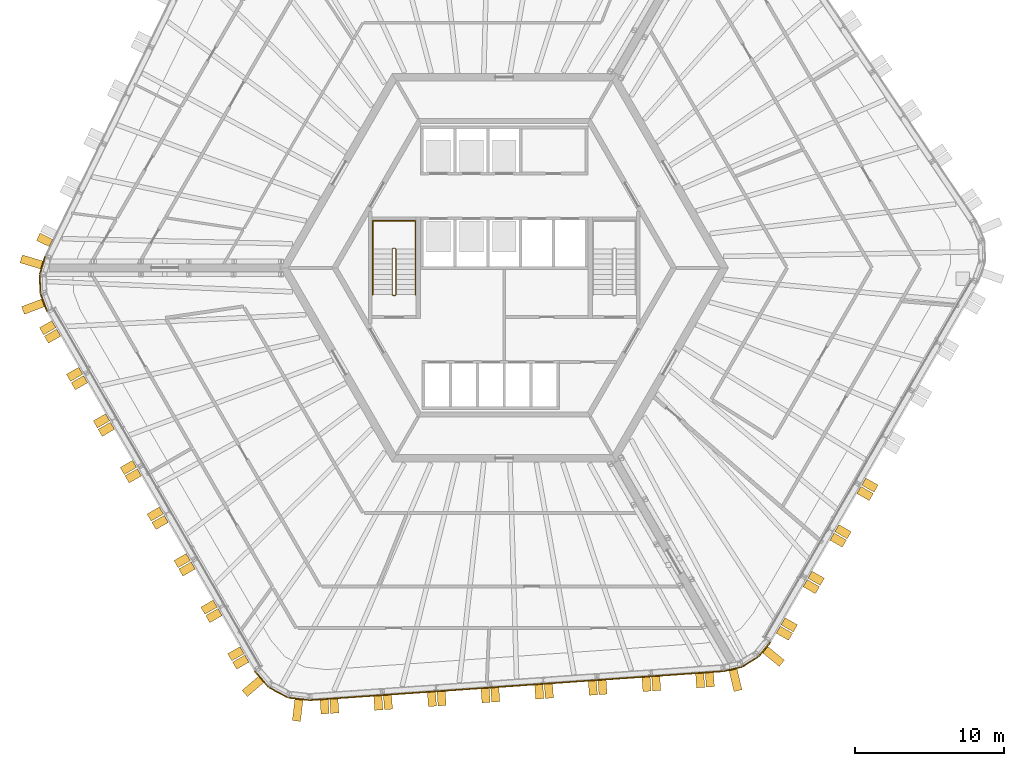
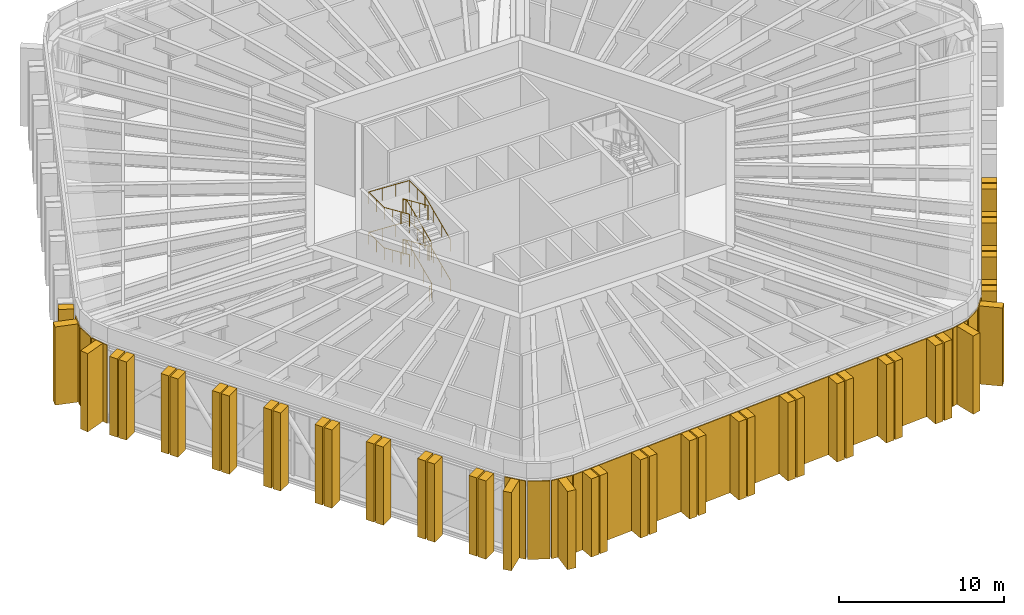
# One storey, part 22 of 24: 57 shading devices, 3 railings.
"""IFC4 building model written with IfcOpenShell, lengths in metres."""

from ifc_helpers import new_model, si_unit, direction, frame, origin, origin_2d, place, context, subcontext, project, spatial, polyline, circle, outline, extrude, material, layer, layer_set, type_object, element, save


model = new_model("IFC4")

# Units and contexts
model_context = context("Model", 3, precision=1e-05, world=origin(), true_north=direction((0.0, 1.0)))
body_context = subcontext(model_context, "Body", "Model", "MODEL_VIEW")
ifc_project = project(units=[si_unit("LENGTHUNIT", "METRE"), si_unit("AREAUNIT", "SQUARE_METRE"), si_unit("VOLUMEUNIT", "CUBIC_METRE"), si_unit("PLANEANGLEUNIT", "RADIAN"), si_unit("MASSUNIT", "GRAM", prefix="KILO")], contexts=[model_context])

# Site, building, storey
site_placement = place(None, origin())
site = spatial("IfcSite", under=ifc_project, at=site_placement, CompositionType="ELEMENT")
building_placement = place(site_placement, origin())
building = spatial("IfcBuilding", under=site, at=building_placement, Name="Tarnside Tower", CompositionType="ELEMENT")
storey_placement = place(building_placement, frame((0.0, 0.0, 250.199951171875)))
storey = spatial("IfcBuildingStorey", under=building, at=storey_placement, Name="L60", CompositionType="ELEMENT", Elevation=250.199951171875)

# Shading devices
ifc_material_1 = material(Name="Aluminium alloy 6063 louvre", Category="aluminium")
shading_device_type_1 = type_object("IfcShadingDeviceType", Name="Louvre panel 72", PredefinedType="USERDEFINED", material=ifc_material_1)
for number, where, z_axis, x_axis, name in (
    (1, (-30.88134765625, 0.163818359375, -0.300048828125), (0.286854310454, 0.957974219159, 0.0), (-0.957974219159, 0.286854310454, 0.0), "Louvre L60 006"),
    (2, (-31.0419921875, -1.083984375, -0.300048828125), (-0.034926917162, 0.999389869099, 0.0), (-0.999389869099, -0.034926917162, 0.0), "Louvre L60 007"),
    (3, (-30.794677734375, -2.317626953125, -0.300048828125), (-0.352936948646, 0.935647107771, 0.0), (-0.935647107771, -0.352936948646, 0.0), "Louvre L60 008"),
):
    element("IfcShadingDevice", number, at=place(storey_placement, frame(where, z_axis=z_axis, x_axis=x_axis)), inside=storey, type_object=shading_device_type_1, Name=name, ObjectType="LOUVRE", PredefinedType="USERDEFINED", context=body_context, shape_type="SweptSolid", body=[
        extrude(outline(polyline([(0.0, 0.0), (0.071533203125, 0.0), (0.071533203125, 5.800048828125), (0.0, 5.800048828125), (0.0, 0.0)])), frame((0.0, 0.0, -0.60400390625)), (0.0, 0.0, 1.0), 1.208251953125),
    ])
for number, where, z_axis, x_axis, name in (
    (4, (-16.217041015625, -27.505859375, -0.300048828125), (-0.651674836993, 0.75849845539, 0.0), (-0.75849845539, -0.651674836993, 0.0), "Louvre L60 010"),
    (5, (-15.100341796875, -28.3994140625, -0.300048828125), (-0.882934435721, 0.469496306927, 0.0), (-0.469496306927, -0.882934435721, 0.0), "Louvre L60 011"),
    (6, (-13.73486328125, -28.82568359375, -0.300048828125), (-0.993237937099, 0.1160965129, 0.0), (-0.1160965129, -0.993237937099, 0.0), "Louvre L60 012"),
):
    element("IfcShadingDevice", number, at=place(storey_placement, frame(where, z_axis=z_axis, x_axis=x_axis)), inside=storey, type_object=shading_device_type_1, Name=name, ObjectType="LOUVRE", PredefinedType="USERDEFINED", context=body_context, shape_type="SweptSolid", body=[
        extrude(outline(polyline([(0.0, 0.0), (0.071533203125, 0.0), (0.071533203125, 5.800048828125), (0.0, 5.800048828125), (0.0, 0.0)])), frame((0.0, 0.0, -0.689453125)), (0.0, 0.0, 1.0), 1.37890625),
    ])
shading_device_placement = place(storey_placement, frame((0.8330078125, -27.9384765625, -0.300048828125), z_axis=(-0.997564018693, -0.069756925171, 0.0), x_axis=(0.069756925171, -0.997564018693, 0.0)))
element("IfcShadingDevice", 7, at=shading_device_placement, inside=storey, type_object=shading_device_type_1, Name="Louvre L60 013", ObjectType="LOUVRE", PredefinedType="USERDEFINED", context=body_context, shape_type="SweptSolid", body=[
    extrude(outline(polyline([(0.0, 0.0), (0.071533203125, 0.0), (0.071533203125, 5.800048828125), (0.0, 5.800048828125), (0.0, 0.0)])), frame((0.0, 0.0, -13.87890625)), (0.0, 0.0, 1.0), 27.7578125),
])
for number, where, z_axis, x_axis, name in (
    (8, (15.298583984375, -26.825927734375, -0.300048828125), (-0.973053416579, -0.230579809359, 0.0), (0.230579809359, -0.973053416579, 0.0), "Louvre L60 014"),
    (9, (16.459716796875, -26.341064453125, -0.300048828125), (-0.848026201671, -0.529954301123, 0.0), (0.529954301123, -0.848026201671, 0.0), "Louvre L60 015"),
    (10, (17.404541015625, -25.51025390625, -0.300048828125), (-0.633837053424, -0.773466605424, 0.0), (0.773466605424, -0.633837053424, 0.0), "Louvre L60 016"),
):
    element("IfcShadingDevice", number, at=place(storey_placement, frame(where, z_axis=z_axis, x_axis=x_axis)), inside=storey, type_object=shading_device_type_1, Name=name, ObjectType="LOUVRE", PredefinedType="USERDEFINED", context=body_context, shape_type="SweptSolid", body=[
        extrude(outline(polyline([(0.0, 0.0), (0.071533203125, 0.0), (0.071533203125, 5.800048828125), (0.0, 5.800048828125), (0.0, 0.0)])), frame((0.0, 0.0, -0.60400390625)), (0.0, 0.0, 1.0), 1.208251953125),
    ])
ifc_material_2 = material(Name="Concrete C50/60 white precast", Category="concrete")
ifc_layer_1 = layer(ifc_material_2, 0.550048828125)
ifc_layer_set_1 = layer_set([ifc_layer_1], Name="Precast fin 550 x 1450")
shading_device_type_2 = type_object("IfcShadingDeviceType", Name="Precast fin 550 x 1450", PredefinedType="USERDEFINED", material=ifc_layer_set_1)
for number, where, z_axis, x_axis, name in (
    (11, (-30.949951171875, 0.184326171875, -0.300048828125), (0.286803232717, 0.957989512314, 0.0), (-0.957989512314, 0.286803232717, 0.0), "Precast fin"),
    (12, (-30.861572265625, -2.343017578125, -0.300048828125), (-0.352930564719, 0.935649515837, 0.0), (-0.935649515837, -0.352930564719, 0.0), "Precast fin"),
    (13, (-16.271484375, -27.55224609375, -0.300048828125), (-0.651657228826, 0.758513583345, 0.0), (-0.758513583345, -0.651657228826, 0.0), "Precast fin"),
    (14, (-13.7431640625, -28.896728515625, -0.300048828125), (-0.993238357741, 0.116092914131, 0.0), (-0.116092914131, -0.993238357741, 0.0), "Precast fin"),
    (15, (15.315185546875, -26.8955078125, -0.300048828125), (-0.973044870581, -0.230615870737, 0.0), (0.230615870737, -0.973044870581, 0.0), "Precast fin"),
    (16, (17.4599609375, -25.555419921875, -0.300048828125), (-0.633830967394, -0.773471592738, 0.0), (0.773471592738, -0.633830967394, 0.0), "Precast fin"),
):
    element("IfcShadingDevice", number, at=place(storey_placement, frame(where, z_axis=z_axis, x_axis=x_axis)), inside=storey, type_object=shading_device_type_2, Name=name, ObjectType="FIN", PredefinedType="USERDEFINED", context=body_context, shape_type="SweptSolid", body=[
        extrude(outline(polyline([(0.0, 0.0), (1.449951171875, 0.0), (1.449951171875, 5.800048828125), (0.0, 5.800048828125), (0.0, 0.0)])), frame((0.0, 0.0, -0.27490234375)), (0.0, 0.0, 1.0), 0.550048828125),
    ])
ifc_layer_2 = layer(ifc_material_2, 0.550048828125)
ifc_layer_set_2 = layer_set([ifc_layer_2], Name="Precast fin 550 x 950")
shading_device_type_3 = type_object("IfcShadingDeviceType", Name="Precast fin 550 x 950", PredefinedType="USERDEFINED", material=ifc_layer_set_2)
for number, where, z_axis, x_axis, name in (
    (17, (-30.342041015625, 1.662353515625, -0.300048828125), (0.438371146789, 0.898794046299, 0.0), (-0.898794046299, 0.438371146789, 0.0), "Precast fin"),
    (18, (-30.15234375, -3.774658203125, -0.300048828125), (-0.5, 0.866025403784, 0.0), (-0.866025403784, -0.5, 0.0), "Precast fin"),
    (19, (-29.827392578125, -4.337646484375, -0.300048828125), (-0.5, 0.866025403784, 0.0), (-0.866025403784, -0.5, 0.0), "Precast fin"),
    (20, (-28.352294921875, -6.892333984375, -0.300048828125), (-0.5, 0.866025403784, 0.0), (-0.866025403784, -0.5, 0.0), "Precast fin"),
    (21, (-28.02734375, -7.455322265625, -0.300048828125), (-0.5, 0.866025403784, 0.0), (-0.866025403784, -0.5, 0.0), "Precast fin"),
    (22, (-26.55224609375, -10.010009765625, -0.300048828125), (-0.5, 0.866025403784, 0.0), (-0.866025403784, -0.5, 0.0), "Precast fin"),
    (23, (-26.227294921875, -10.572998046875, -0.300048828125), (-0.5, 0.866025403784, 0.0), (-0.866025403784, -0.5, 0.0), "Precast fin"),
    (24, (-24.752197265625, -13.127685546875, -0.300048828125), (-0.5, 0.866025403784, 0.0), (-0.866025403784, -0.5, 0.0), "Precast fin"),
    (25, (-24.42724609375, -13.690673828125, -0.300048828125), (-0.5, 0.866025403784, 0.0), (-0.866025403784, -0.5, 0.0), "Precast fin"),
    (26, (-22.952392578125, -16.24560546875, -0.300048828125), (-0.5, 0.866025403784, 0.0), (-0.866025403784, -0.5, 0.0), "Precast fin"),
    (27, (-22.627197265625, -16.808349609375, -0.300048828125), (-0.5, 0.866025403784, 0.0), (-0.866025403784, -0.5, 0.0), "Precast fin"),
    (28, (-21.15234375, -19.36328125, -0.300048828125), (-0.5, 0.866025403784, 0.0), (-0.866025403784, -0.5, 0.0), "Precast fin"),
    (29, (-20.827392578125, -19.926025390625, -0.300048828125), (-0.5, 0.866025403784, 0.0), (-0.866025403784, -0.5, 0.0), "Precast fin"),
    (30, (-19.352294921875, -22.48095703125, -0.300048828125), (-0.5, 0.866025403784, 0.0), (-0.866025403784, -0.5, 0.0), "Precast fin"),
    (31, (-19.02734375, -23.043701171875, -0.300048828125), (-0.5, 0.866025403784, 0.0), (-0.866025403784, -0.5, 0.0), "Precast fin"),
    (32, (-17.55224609375, -25.5986328125, -0.300048828125), (-0.5, 0.866025403784, 0.0), (-0.866025403784, -0.5, 0.0), "Precast fin"),
    (33, (-17.227294921875, -26.161376953125, -0.300048828125), (-0.5, 0.866025403784, 0.0), (-0.866025403784, -0.5, 0.0), "Precast fin"),
    (34, (-12.0556640625, -28.911376953125, -0.300048828125), (-0.99756405026, -0.069756473744, 0.0), (0.069756473744, -0.99756405026, 0.0), "Precast fin"),
    (35, (-11.4072265625, -28.865966796875, -0.300048828125), (-0.99756405026, -0.069756473744, 0.0), (0.069756473744, -0.99756405026, 0.0), "Precast fin"),
    (36, (-8.46435546875, -28.66015625, -0.300048828125), (-0.99756405026, -0.069756473744, 0.0), (0.069756473744, -0.99756405026, 0.0), "Precast fin"),
    (37, (-7.81591796875, -28.614990234375, -0.300048828125), (-0.99756405026, -0.069756473744, 0.0), (0.069756473744, -0.99756405026, 0.0), "Precast fin"),
    (38, (-4.873046875, -28.4091796875, -0.300048828125), (-0.99756405026, -0.069756473744, 0.0), (0.069756473744, -0.99756405026, 0.0), "Precast fin"),
    (39, (-4.224609375, -28.36376953125, -0.300048828125), (-0.99756405026, -0.069756473744, 0.0), (0.069756473744, -0.99756405026, 0.0), "Precast fin"),
    (40, (-1.281982421875, -28.157958984375, -0.300048828125), (-0.99756405026, -0.069756473744, 0.0), (0.069756473744, -0.99756405026, 0.0), "Precast fin"),
    (41, (-0.633544921875, -28.112548828125, -0.300048828125), (-0.99756405026, -0.069756473744, 0.0), (0.069756473744, -0.99756405026, 0.0), "Precast fin"),
    (42, (2.309326171875, -27.906982421875, -0.300048828125), (-0.99756405026, -0.069756473744, 0.0), (0.069756473744, -0.99756405026, 0.0), "Precast fin"),
    (43, (2.957763671875, -27.861572265625, -0.300048828125), (-0.99756405026, -0.069756473744, 0.0), (0.069756473744, -0.99756405026, 0.0), "Precast fin"),
    (44, (5.900634765625, -27.65576171875, -0.300048828125), (-0.99756405026, -0.069756473744, 0.0), (0.069756473744, -0.99756405026, 0.0), "Precast fin"),
    (45, (6.549072265625, -27.6103515625, -0.300048828125), (-0.99756405026, -0.069756473744, 0.0), (0.069756473744, -0.99756405026, 0.0), "Precast fin"),
    (46, (9.49169921875, -27.404541015625, -0.300048828125), (-0.99756405026, -0.069756473744, 0.0), (0.069756473744, -0.99756405026, 0.0), "Precast fin"),
    (47, (10.14013671875, -27.359375, -0.300048828125), (-0.99756405026, -0.069756473744, 0.0), (0.069756473744, -0.99756405026, 0.0), "Precast fin"),
    (48, (13.0830078125, -27.153564453125, -0.300048828125), (-0.99756405026, -0.069756473744, 0.0), (0.069756473744, -0.99756405026, 0.0), "Precast fin"),
    (49, (13.7314453125, -27.108154296875, -0.300048828125), (-0.99756405026, -0.069756473744, 0.0), (0.069756473744, -0.99756405026, 0.0), "Precast fin"),
    (50, (18.34521484375, -24.225341796875, -0.300048828125), (-0.5, -0.866025403784, 0.0), (0.866025403784, -0.5, 0.0), "Precast fin"),
    (51, (18.670166015625, -23.662353515625, -0.300048828125), (-0.5, -0.866025403784, 0.0), (0.866025403784, -0.5, 0.0), "Precast fin"),
    (52, (20.145263671875, -21.107666015625, -0.300048828125), (-0.5, -0.866025403784, 0.0), (0.866025403784, -0.5, 0.0), "Precast fin"),
    (53, (20.47021484375, -20.544677734375, -0.300048828125), (-0.5, -0.866025403784, 0.0), (0.866025403784, -0.5, 0.0), "Precast fin"),
    (54, (21.945068359375, -17.989990234375, -0.300048828125), (-0.5, -0.866025403784, 0.0), (0.866025403784, -0.5, 0.0), "Precast fin"),
    (55, (22.270263671875, -17.427001953125, -0.300048828125), (-0.5, -0.866025403784, 0.0), (0.866025403784, -0.5, 0.0), "Precast fin"),
    (56, (23.7451171875, -14.872314453125, -0.300048828125), (-0.5, -0.866025403784, 0.0), (0.866025403784, -0.5, 0.0), "Precast fin"),
    (57, (24.070068359375, -14.309326171875, -0.300048828125), (-0.5, -0.866025403784, 0.0), (0.866025403784, -0.5, 0.0), "Precast fin"),
):
    element("IfcShadingDevice", number, at=place(storey_placement, frame(where, z_axis=z_axis, x_axis=x_axis)), inside=storey, type_object=shading_device_type_3, Name=name, ObjectType="FIN", PredefinedType="USERDEFINED", context=body_context, shape_type="SweptSolid", body=[
        extrude(outline(polyline([(0.0, 0.0), (0.949951171875, 0.0), (0.949951171875, 5.800048828125), (0.0, 5.800048828125), (0.0, 0.0)])), frame((0.0, 0.0, -0.27490234375)), (0.0, 0.0, 1.0), 0.550048828125),
    ])

# Railings
ifc_material_3 = material(Name="Stainless steel", Category="steel")
railing_type_1 = type_object("IfcRailingType", Name="Stair guard 1100", PredefinedType="GUARDRAIL", material=ifc_material_3)
railing_1_placement = place(storey_placement, frame((-7.449951171875, -1.85009765625, 0.0)))
element("IfcRailing", 58, at=railing_1_placement, inside=storey, type_object=railing_type_1, Name="L60 ST2 stair guard 1", PredefinedType="GUARDRAIL", context=body_context, shape_type="SweptSolid", body=[
    extrude(circle(Radius=0.02392578125, at=origin_2d()), frame((0.0, 0.0, 1.076171875), z_axis=(1.0, 0.0, 0.0), x_axis=(0.0, 1.0, 0.0)), (0.0, 0.0, 1.0), 0.14990234375),
    extrude(circle(Radius=0.02392578125, at=origin_2d()), frame((0.14990234375, 0.0, 1.076171875), z_axis=(0.301511344578, 0.301511344578, 0.904534033733), x_axis=(-0.707106781187, 0.707106781187, 0.0)), (0.0, 0.0, 1.0), 0.166015625),
    extrude(circle(Radius=0.02392578125, at=origin_2d()), frame((0.199951171875, 0.050048828125, 1.22607421875), z_axis=(0.0, 0.914936829305, 0.403597074296), x_axis=(-1.0, 0.0, 0.0)), (0.0, 0.0, 1.0), 3.344482421875),
    extrude(circle(Radius=0.02392578125, at=origin_2d()), frame((0.199951171875, 3.110107421875, 2.576171875), z_axis=(-0.707106781187, 0.707106781187, 0.0), x_axis=(-0.707106781187, -0.707106781187, 0.0)), (0.0, 0.0, 1.0), 0.07080078125),
    extrude(circle(Radius=0.02392578125, at=origin_2d()), frame((0.14990234375, 3.16015625, 2.576171875), z_axis=(-1.0, 0.0, 0.0), x_axis=(0.0, -1.0, 0.0)), (0.0, 0.0, 1.0), 0.14990234375),
    extrude(circle(Radius=0.02392578125, at=origin_2d()), frame((0.0, 3.16015625, 2.576171875), z_axis=(-0.301511344578, -0.301511344578, 0.904534033733), x_axis=(0.707106781187, -0.707106781187, 0.0)), (0.0, 0.0, 1.0), 0.166015625),
    extrude(circle(Radius=0.02392578125, at=origin_2d()), frame((-0.050048828125, 3.110107421875, 2.72607421875), z_axis=(0.0, -0.914936829305, 0.403597074296), x_axis=(1.0, 0.0, 0.0)), (0.0, 0.0, 1.0), 3.344482421875),
    extrude(circle(Radius=0.02392578125, at=origin_2d()), frame((-0.050048828125, 0.050048828125, 4.076171875), z_axis=(0.707106781187, -0.707106781187, 0.0), x_axis=(0.707106781187, 0.707106781187, 0.0)), (0.0, 0.0, 1.0), 0.07080078125),
    extrude(circle(Radius=0.02392578125, at=origin_2d()), frame((0.0, 0.0, 4.076171875), z_axis=(1.0, 0.0, 0.0), x_axis=(0.0, 1.0, 0.0)), (0.0, 0.0, 1.0), 0.14990234375),
    extrude(circle(Radius=0.02392578125, at=origin_2d()), frame((0.14990234375, 0.0, 4.076171875), z_axis=(0.301511344578, 0.301511344578, 0.904534033733), x_axis=(-0.707106781187, 0.707106781187, 0.0)), (0.0, 0.0, 1.0), 0.166015625),
    extrude(circle(Radius=0.02392578125, at=origin_2d()), frame((0.199951171875, 0.050048828125, 4.22607421875), z_axis=(0.0, 0.914936829305, 0.403597074296), x_axis=(-1.0, 0.0, 0.0)), (0.0, 0.0, 1.0), 3.344482421875),
    extrude(circle(Radius=0.02392578125, at=origin_2d()), frame((0.199951171875, 3.110107421875, 5.576171875), z_axis=(-0.707106781187, 0.707106781187, 0.0), x_axis=(-0.707106781187, -0.707106781187, 0.0)), (0.0, 0.0, 1.0), 0.07080078125),
    extrude(circle(Radius=0.02392578125, at=origin_2d()), frame((0.14990234375, 3.16015625, 5.576171875), z_axis=(-1.0, 0.0, 0.0), x_axis=(0.0, -1.0, 0.0)), (0.0, 0.0, 1.0), 0.14990234375),
    extrude(circle(Radius=0.02392578125, at=origin_2d()), frame((0.0, 3.16015625, 5.576171875), z_axis=(-0.301511344578, -0.301511344578, 0.904534033733), x_axis=(0.707106781187, -0.707106781187, 0.0)), (0.0, 0.0, 1.0), 0.166015625),
    extrude(circle(Radius=0.02392578125, at=origin_2d()), frame((-0.050048828125, 3.110107421875, 5.72607421875), z_axis=(0.0, -0.914936829305, 0.403597074296), x_axis=(1.0, 0.0, 0.0)), (0.0, 0.0, 1.0), 3.344482421875),
    extrude(circle(Radius=0.02099609375, at=origin_2d()), origin(), (0.0, 0.0, 1.0), 1.052001953125),
    extrude(circle(Radius=0.02099609375, at=origin_2d()), frame((0.14990234375, 0.0, 0.0)), (0.0, 0.0, 1.0), 1.052001953125),
    extrude(circle(Radius=0.02099609375, at=origin_2d()), frame((0.199951171875, 0.050048828125, 0.150146484375)), (0.0, 0.0, 1.0), 1.052001953125),
    extrude(circle(Radius=0.02099609375, at=origin_2d()), frame((0.199951171875, 1.070068359375, 0.60009765625)), (0.0, 0.0, 1.0), 1.052001953125),
    extrude(circle(Radius=0.02099609375, at=origin_2d()), frame((0.199951171875, 2.090087890625, 1.050048828125)), (0.0, 0.0, 1.0), 1.052001953125),
    extrude(circle(Radius=0.02099609375, at=origin_2d()), frame((0.199951171875, 3.110107421875, 1.5)), (0.0, 0.0, 1.0), 1.052001953125),
    extrude(circle(Radius=0.02099609375, at=origin_2d()), frame((0.14990234375, 3.16015625, 1.5)), (0.0, 0.0, 1.0), 1.052001953125),
    extrude(circle(Radius=0.02099609375, at=origin_2d()), frame((0.0, 3.16015625, 1.5)), (0.0, 0.0, 1.0), 1.052001953125),
    extrude(circle(Radius=0.02099609375, at=origin_2d()), frame((-0.050048828125, 3.110107421875, 1.650146484375)), (0.0, 0.0, 1.0), 1.052001953125),
    extrude(circle(Radius=0.02099609375, at=origin_2d()), frame((-0.050048828125, 2.090087890625, 2.10009765625)), (0.0, 0.0, 1.0), 1.052001953125),
    extrude(circle(Radius=0.02099609375, at=origin_2d()), frame((-0.050048828125, 1.070068359375, 2.550048828125)), (0.0, 0.0, 1.0), 1.052001953125),
    extrude(circle(Radius=0.02099609375, at=origin_2d()), frame((-0.050048828125, 0.050048828125, 3.0)), (0.0, 0.0, 1.0), 1.052001953125),
    extrude(circle(Radius=0.02099609375, at=origin_2d()), frame((0.0, 0.0, 3.0)), (0.0, 0.0, 1.0), 1.052001953125),
    extrude(circle(Radius=0.02099609375, at=origin_2d()), frame((0.14990234375, 0.0, 3.0)), (0.0, 0.0, 1.0), 1.052001953125),
    extrude(circle(Radius=0.02099609375, at=origin_2d()), frame((0.199951171875, 0.050048828125, 3.150146484375)), (0.0, 0.0, 1.0), 1.052001953125),
    extrude(circle(Radius=0.02099609375, at=origin_2d()), frame((0.199951171875, 1.070068359375, 3.60009765625)), (0.0, 0.0, 1.0), 1.052001953125),
    extrude(circle(Radius=0.02099609375, at=origin_2d()), frame((0.199951171875, 2.090087890625, 4.050048828125)), (0.0, 0.0, 1.0), 1.052001953125),
    extrude(circle(Radius=0.02099609375, at=origin_2d()), frame((0.199951171875, 3.110107421875, 4.5)), (0.0, 0.0, 1.0), 1.052001953125),
    extrude(circle(Radius=0.02099609375, at=origin_2d()), frame((0.14990234375, 3.16015625, 4.5)), (0.0, 0.0, 1.0), 1.052001953125),
    extrude(circle(Radius=0.02099609375, at=origin_2d()), frame((0.0, 3.16015625, 4.5)), (0.0, 0.0, 1.0), 1.052001953125),
    extrude(circle(Radius=0.02099609375, at=origin_2d()), frame((-0.050048828125, 3.110107421875, 4.650146484375)), (0.0, 0.0, 1.0), 1.052001953125),
    extrude(circle(Radius=0.02099609375, at=origin_2d()), frame((-0.050048828125, 2.090087890625, 5.10009765625)), (0.0, 0.0, 1.0), 1.052001953125),
    extrude(circle(Radius=0.02099609375, at=origin_2d()), frame((-0.050048828125, 1.070068359375, 5.550048828125)), (0.0, 0.0, 1.0), 1.052001953125),
    extrude(circle(Radius=0.02099609375, at=origin_2d()), frame((-0.050048828125, 0.050048828125, 6.0)), (0.0, 0.0, 1.0), 1.052001953125),
])
railing_type_2 = type_object("IfcRailingType", Name="Stair handrail 900", PredefinedType="HANDRAIL", material=ifc_material_3)
railing_2_placement = place(storey_placement, frame((-5.949951171875, -1.800048828125, 0.150146484375)))
element("IfcRailing", 59, at=railing_2_placement, inside=storey, type_object=railing_type_2, Name="L60 ST2 stair handrail 1", PredefinedType="HANDRAIL", context=body_context, shape_type="SweptSolid", body=[
    extrude(circle(Radius=0.02392578125, at=origin_2d()), frame((0.0, 0.0, 0.8857421875), z_axis=(0.0, 0.914936829305, 0.403597074296), x_axis=(-1.0, 0.0, 0.0)), (0.0, 0.0, 1.0), 3.344482421875),
    extrude(circle(Radius=0.02392578125, at=origin_2d()), frame((0.0, 3.06005859375, 2.23583984375), z_axis=(0.0, 1.0, 0.0), x_axis=(-1.0, 0.0, 0.0)), (0.0, 0.0, 1.0), 1.889892578125),
    extrude(circle(Radius=0.02392578125, at=origin_2d()), frame((0.0, 4.949951171875, 2.23583984375), z_axis=(-0.998615228774, 0.0, 0.052608220464), x_axis=(0.0, -1.0, 0.0)), (0.0, 0.0, 1.0), 2.85400390625),
    extrude(circle(Radius=0.02392578125, at=origin_2d()), frame((-2.85009765625, 4.949951171875, 2.3857421875), z_axis=(0.0, -1.0, 0.0), x_axis=(1.0, 0.0, 0.0)), (0.0, 0.0, 1.0), 1.889892578125),
    extrude(circle(Radius=0.02392578125, at=origin_2d()), frame((-2.85009765625, 3.06005859375, 2.3857421875), z_axis=(0.0, -0.914936829305, 0.403597074296), x_axis=(1.0, 0.0, 0.0)), (0.0, 0.0, 1.0), 3.344482421875),
    extrude(circle(Radius=0.02099609375, at=origin_2d()), origin(), (0.0, 0.0, 1.0), 0.86181640625),
    extrude(circle(Radius=0.02099609375, at=origin_2d()), frame((0.0, 1.02001953125, 0.449951171875)), (0.0, 0.0, 1.0), 0.86181640625),
    extrude(circle(Radius=0.02099609375, at=origin_2d()), frame((0.0, 2.0400390625, 0.89990234375)), (0.0, 0.0, 1.0), 0.86181640625),
    extrude(circle(Radius=0.02099609375, at=origin_2d()), frame((0.0, 3.06005859375, 1.349853515625)), (0.0, 0.0, 1.0), 0.86181640625),
    extrude(circle(Radius=0.02099609375, at=origin_2d()), frame((0.0, 4.0048828125, 1.349853515625)), (0.0, 0.0, 1.0), 0.86181640625),
    extrude(circle(Radius=0.02099609375, at=origin_2d()), frame((0.0, 4.949951171875, 1.349853515625)), (0.0, 0.0, 1.0), 0.86181640625),
    extrude(circle(Radius=0.02099609375, at=origin_2d()), frame((-0.949951171875, 4.949951171875, 1.39990234375)), (0.0, 0.0, 1.0), 0.86181640625),
    extrude(circle(Radius=0.02099609375, at=origin_2d()), frame((-1.900146484375, 4.949951171875, 1.449951171875)), (0.0, 0.0, 1.0), 0.86181640625),
    extrude(circle(Radius=0.02099609375, at=origin_2d()), frame((-2.85009765625, 4.949951171875, 1.5)), (0.0, 0.0, 1.0), 0.86181640625),
    extrude(circle(Radius=0.02099609375, at=origin_2d()), frame((-2.85009765625, 4.0048828125, 1.5)), (0.0, 0.0, 1.0), 0.86181640625),
    extrude(circle(Radius=0.02099609375, at=origin_2d()), frame((-2.85009765625, 3.06005859375, 1.5)), (0.0, 0.0, 1.0), 0.86181640625),
    extrude(circle(Radius=0.02099609375, at=origin_2d()), frame((-2.85009765625, 2.0400390625, 1.949951171875)), (0.0, 0.0, 1.0), 0.86181640625),
    extrude(circle(Radius=0.02099609375, at=origin_2d()), frame((-2.85009765625, 1.02001953125, 2.39990234375)), (0.0, 0.0, 1.0), 0.86181640625),
    extrude(circle(Radius=0.02099609375, at=origin_2d()), frame((-2.85009765625, 0.0, 2.849853515625)), (0.0, 0.0, 1.0), 0.86181640625),
])
railing_3_placement = place(storey_placement, frame((-5.949951171875, -1.800048828125, 3.150146484375)))
element("IfcRailing", 60, at=railing_3_placement, inside=storey, type_object=railing_type_2, Name="L60 ST2 stair handrail 2", PredefinedType="HANDRAIL", context=body_context, shape_type="SweptSolid", body=[
    extrude(circle(Radius=0.02392578125, at=origin_2d()), frame((0.0, 0.0, 0.8857421875), z_axis=(0.0, 0.914936829305, 0.403597074296), x_axis=(-1.0, 0.0, 0.0)), (0.0, 0.0, 1.0), 3.344482421875),
    extrude(circle(Radius=0.02392578125, at=origin_2d()), frame((0.0, 3.06005859375, 2.23583984375), z_axis=(0.0, 1.0, 0.0), x_axis=(-1.0, 0.0, 0.0)), (0.0, 0.0, 1.0), 1.889892578125),
    extrude(circle(Radius=0.02392578125, at=origin_2d()), frame((0.0, 4.949951171875, 2.23583984375), z_axis=(-0.998615228774, 0.0, 0.052608220464), x_axis=(0.0, -1.0, 0.0)), (0.0, 0.0, 1.0), 2.85400390625),
    extrude(circle(Radius=0.02392578125, at=origin_2d()), frame((-2.85009765625, 4.949951171875, 2.3857421875), z_axis=(0.0, -1.0, 0.0), x_axis=(1.0, 0.0, 0.0)), (0.0, 0.0, 1.0), 1.889892578125),
    extrude(circle(Radius=0.02392578125, at=origin_2d()), frame((-2.85009765625, 3.06005859375, 2.3857421875), z_axis=(0.0, -0.914936829305, 0.403597074296), x_axis=(1.0, 0.0, 0.0)), (0.0, 0.0, 1.0), 3.344482421875),
    extrude(circle(Radius=0.02099609375, at=origin_2d()), origin(), (0.0, 0.0, 1.0), 0.86181640625),
    extrude(circle(Radius=0.02099609375, at=origin_2d()), frame((0.0, 1.02001953125, 0.449951171875)), (0.0, 0.0, 1.0), 0.86181640625),
    extrude(circle(Radius=0.02099609375, at=origin_2d()), frame((0.0, 2.0400390625, 0.89990234375)), (0.0, 0.0, 1.0), 0.86181640625),
    extrude(circle(Radius=0.02099609375, at=origin_2d()), frame((0.0, 3.06005859375, 1.349853515625)), (0.0, 0.0, 1.0), 0.86181640625),
    extrude(circle(Radius=0.02099609375, at=origin_2d()), frame((0.0, 4.0048828125, 1.349853515625)), (0.0, 0.0, 1.0), 0.86181640625),
    extrude(circle(Radius=0.02099609375, at=origin_2d()), frame((0.0, 4.949951171875, 1.349853515625)), (0.0, 0.0, 1.0), 0.86181640625),
    extrude(circle(Radius=0.02099609375, at=origin_2d()), frame((-0.949951171875, 4.949951171875, 1.39990234375)), (0.0, 0.0, 1.0), 0.86181640625),
    extrude(circle(Radius=0.02099609375, at=origin_2d()), frame((-1.900146484375, 4.949951171875, 1.449951171875)), (0.0, 0.0, 1.0), 0.86181640625),
    extrude(circle(Radius=0.02099609375, at=origin_2d()), frame((-2.85009765625, 4.949951171875, 1.5)), (0.0, 0.0, 1.0), 0.86181640625),
    extrude(circle(Radius=0.02099609375, at=origin_2d()), frame((-2.85009765625, 4.0048828125, 1.5)), (0.0, 0.0, 1.0), 0.86181640625),
    extrude(circle(Radius=0.02099609375, at=origin_2d()), frame((-2.85009765625, 3.06005859375, 1.5)), (0.0, 0.0, 1.0), 0.86181640625),
    extrude(circle(Radius=0.02099609375, at=origin_2d()), frame((-2.85009765625, 2.0400390625, 1.949951171875)), (0.0, 0.0, 1.0), 0.86181640625),
    extrude(circle(Radius=0.02099609375, at=origin_2d()), frame((-2.85009765625, 1.02001953125, 2.39990234375)), (0.0, 0.0, 1.0), 0.86181640625),
    extrude(circle(Radius=0.02099609375, at=origin_2d()), frame((-2.85009765625, 0.0, 2.849853515625)), (0.0, 0.0, 1.0), 0.86181640625),
])

save(model, "model.ifc")
